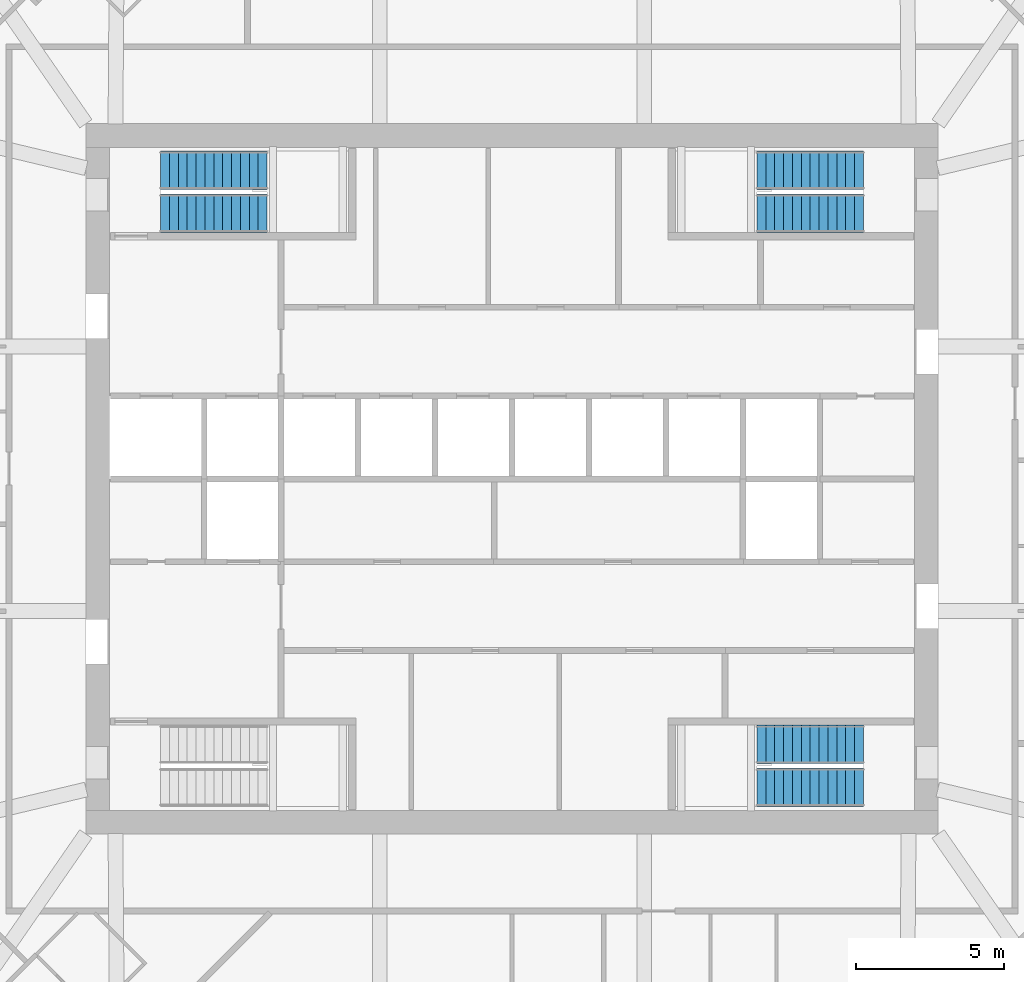
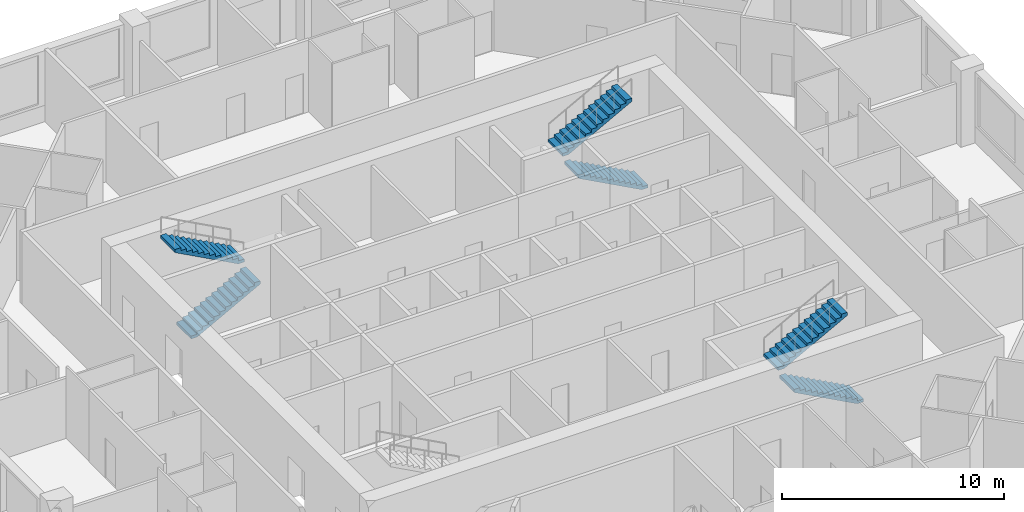
# One storey, part 11 of 12: 6 stair flights, 3 elements without a shape of their own.
"""IFC4 building model written with IfcOpenShell, lengths in metres."""

from ifc_helpers import new_model, si_unit, direction, frame, origin, place, context, subcontext, project, spatial, polyline, outline, extrude, material, type_object, element, aggregate, save


model = new_model("IFC4")

# Units and contexts
model_context = context("Model", 3, precision=1e-05, world=origin(), true_north=direction((0.0, 1.0)))
body_context = subcontext(model_context, "Body", "Model", "MODEL_VIEW")
ifc_project = project(units=[si_unit("LENGTHUNIT", "METRE"), si_unit("AREAUNIT", "SQUARE_METRE"), si_unit("VOLUMEUNIT", "CUBIC_METRE"), si_unit("PLANEANGLEUNIT", "RADIAN"), si_unit("MASSUNIT", "GRAM", prefix="KILO")], contexts=[model_context])

# Site, building, storey
site_placement = place(None, origin())
site = spatial("IfcSite", under=ifc_project, at=site_placement, CompositionType="ELEMENT")
building_placement = place(site_placement, origin())
building = spatial("IfcBuilding", under=site, at=building_placement, Name="Msitu Wima Residences", CompositionType="ELEMENT")
storey_placement = place(building_placement, frame((0.0, 0.0, 119.10009765625)))
storey = spatial("IfcBuildingStorey", under=building, at=storey_placement, Name="L27", CompositionType="ELEMENT", Elevation=119.10009765625)

# Stair, stair flights
ifc_material = material(Name="Concrete C40/50", Category="concrete")
stair_type = type_object("IfcStairType", Name="Exit stair ES1615-130", PredefinedType="HALF_TURN_STAIR", material=ifc_material)
stair_1_placement = place(storey_placement, origin())
stair_1 = element("IfcStair", 1, at=stair_1_placement, inside=storey, type_object=stair_type, Name="Exit stair 1", PredefinedType="HALF_TURN_STAIR")
stair_flight_type = type_object("IfcStairFlightType", Name="Exit stair flight ES1615-130", PredefinedType="STRAIGHT", material=ifc_material)
stair_flight_1_placement = place(storey_placement, frame((-11.875, 8.97509765625, 0.0), z_axis=(0.0, 0.0, 1.0), x_axis=(1.0, 0.0, 0.0)))
stair_flight_1 = element("IfcStairFlight", 2, at=stair_flight_1_placement, type_object=stair_flight_type, Name="S1 flight 1", NumberOfRisers=13, NumberOfTreads=12, PredefinedType="STRAIGHT", RiserHeight=0.161538462, TreadLength=0.3, context=body_context, shape_type="SweptSolid", body=[
    extrude(outline(polyline([(0.0, 0.0), (0.0, 0.16162109375), (0.300048828125, 0.16162109375), (0.300048828125, 0.322998046875), (0.60009765625, 0.322998046875), (0.60009765625, 0.484619140625), (0.89990234375, 0.484619140625), (0.89990234375, 0.646240234375), (1.199951171875, 0.646240234375), (1.199951171875, 0.8076171875), (1.5, 0.8076171875), (1.5, 0.96923828125), (1.800048828125, 0.96923828125), (1.800048828125, 1.130859375), (2.10009765625, 1.130859375), (2.10009765625, 1.292236328125), (2.39990234375, 1.292236328125), (2.39990234375, 1.453857421875), (2.699951171875, 1.453857421875), (2.699951171875, 1.615478515625), (3.0, 1.615478515625), (3.0, 1.77685546875), (3.300048828125, 1.77685546875), (3.300048828125, 1.9384765625), (3.60009765625, 1.9384765625), (3.60009765625, 2.10009765625), (3.60009765625, 1.768310546875), (0.316162109375, 0.0), (0.0, 0.0)])), frame((0.0, 0.64990234375, 0.0), z_axis=(0.0, -1.0, 0.0), x_axis=(1.0, 0.0, 0.0)), (0.0, 0.0, 1.0), 1.300048828125),
])
stair_flight_2_placement = place(storey_placement, frame((-8.27490234375, 10.425048828125, 2.099853515625), z_axis=(0.0, 0.0, 1.0), x_axis=(-1.0, 0.0, 0.0)))
stair_flight_2 = element("IfcStairFlight", 3, at=stair_flight_2_placement, type_object=stair_flight_type, Name="S1 flight 2", NumberOfRisers=13, NumberOfTreads=12, PredefinedType="STRAIGHT", RiserHeight=0.161538462, TreadLength=0.3, context=body_context, shape_type="SweptSolid", body=[
    extrude(outline(polyline([(0.0, 0.0), (0.0, 0.16162109375), (0.300048828125, 0.16162109375), (0.300048828125, 0.322998046875), (0.60009765625, 0.322998046875), (0.60009765625, 0.484619140625), (0.89990234375, 0.484619140625), (0.89990234375, 0.646240234375), (1.199951171875, 0.646240234375), (1.199951171875, 0.8076171875), (1.5, 0.8076171875), (1.5, 0.96923828125), (1.800048828125, 0.96923828125), (1.800048828125, 1.130859375), (2.10009765625, 1.130859375), (2.10009765625, 1.292236328125), (2.39990234375, 1.292236328125), (2.39990234375, 1.453857421875), (2.699951171875, 1.453857421875), (2.699951171875, 1.615478515625), (3.0, 1.615478515625), (3.0, 1.77685546875), (3.300048828125, 1.77685546875), (3.300048828125, 1.9384765625), (3.60009765625, 1.9384765625), (3.60009765625, 2.10009765625), (3.60009765625, 1.768310546875), (0.316162109375, 0.0), (0.0, 0.0)])), frame((0.0, 0.64990234375, 0.0), z_axis=(0.0, -1.0, 0.0), x_axis=(1.0, 0.0, 0.0)), (0.0, 0.0, 1.0), 1.300048828125),
])
aggregate(stair_1, [stair_flight_1, stair_flight_2])

stair_2_placement = place(storey_placement, origin())
stair_2 = element("IfcStair", 4, at=stair_2_placement, inside=storey, type_object=stair_type, Name="Exit stair 3", PredefinedType="HALF_TURN_STAIR")
stair_flight_3_placement = place(storey_placement, frame((11.875, 8.97509765625, 0.0), z_axis=(0.0, 0.0, 1.0), x_axis=(-1.0, 0.0, 0.0)))
stair_flight_3 = element("IfcStairFlight", 5, at=stair_flight_3_placement, type_object=stair_flight_type, Name="S3 flight 1", NumberOfRisers=13, NumberOfTreads=12, PredefinedType="STRAIGHT", RiserHeight=0.161538462, TreadLength=0.3, context=body_context, shape_type="SweptSolid", body=[
    extrude(outline(polyline([(0.0, 0.0), (0.0, 0.16162109375), (0.300048828125, 0.16162109375), (0.300048828125, 0.322998046875), (0.60009765625, 0.322998046875), (0.60009765625, 0.484619140625), (0.89990234375, 0.484619140625), (0.89990234375, 0.646240234375), (1.199951171875, 0.646240234375), (1.199951171875, 0.8076171875), (1.5, 0.8076171875), (1.5, 0.96923828125), (1.800048828125, 0.96923828125), (1.800048828125, 1.130859375), (2.10009765625, 1.130859375), (2.10009765625, 1.292236328125), (2.39990234375, 1.292236328125), (2.39990234375, 1.453857421875), (2.699951171875, 1.453857421875), (2.699951171875, 1.615478515625), (3.0, 1.615478515625), (3.0, 1.77685546875), (3.300048828125, 1.77685546875), (3.300048828125, 1.9384765625), (3.60009765625, 1.9384765625), (3.60009765625, 2.10009765625), (3.60009765625, 1.768310546875), (0.316162109375, 0.0), (0.0, 0.0)])), frame((0.0, 0.64990234375, 0.0), z_axis=(0.0, -1.0, 0.0), x_axis=(1.0, 0.0, 0.0)), (0.0, 0.0, 1.0), 1.300048828125),
])
stair_flight_4_placement = place(storey_placement, frame((8.27490234375, 10.425048828125, 2.099853515625), z_axis=(0.0, 0.0, 1.0), x_axis=(1.0, 0.0, 0.0)))
stair_flight_4 = element("IfcStairFlight", 6, at=stair_flight_4_placement, type_object=stair_flight_type, Name="S3 flight 2", NumberOfRisers=13, NumberOfTreads=12, PredefinedType="STRAIGHT", RiserHeight=0.161538462, TreadLength=0.3, context=body_context, shape_type="SweptSolid", body=[
    extrude(outline(polyline([(0.0, 0.0), (0.0, 0.16162109375), (0.300048828125, 0.16162109375), (0.300048828125, 0.322998046875), (0.60009765625, 0.322998046875), (0.60009765625, 0.484619140625), (0.89990234375, 0.484619140625), (0.89990234375, 0.646240234375), (1.199951171875, 0.646240234375), (1.199951171875, 0.8076171875), (1.5, 0.8076171875), (1.5, 0.96923828125), (1.800048828125, 0.96923828125), (1.800048828125, 1.130859375), (2.10009765625, 1.130859375), (2.10009765625, 1.292236328125), (2.39990234375, 1.292236328125), (2.39990234375, 1.453857421875), (2.699951171875, 1.453857421875), (2.699951171875, 1.615478515625), (3.0, 1.615478515625), (3.0, 1.77685546875), (3.300048828125, 1.77685546875), (3.300048828125, 1.9384765625), (3.60009765625, 1.9384765625), (3.60009765625, 2.10009765625), (3.60009765625, 1.768310546875), (0.316162109375, 0.0), (0.0, 0.0)])), frame((0.0, 0.64990234375, 0.0), z_axis=(0.0, -1.0, 0.0), x_axis=(1.0, 0.0, 0.0)), (0.0, 0.0, 1.0), 1.300048828125),
])
aggregate(stair_2, [stair_flight_3, stair_flight_4])

stair_3_placement = place(storey_placement, origin())
stair_3 = element("IfcStair", 7, at=stair_3_placement, inside=storey, type_object=stair_type, Name="Exit stair 4", PredefinedType="HALF_TURN_STAIR")
stair_flight_5_placement = place(storey_placement, frame((11.875, -10.425048828125, 0.0), z_axis=(0.0, 0.0, 1.0), x_axis=(-1.0, 0.0, 0.0)))
stair_flight_5 = element("IfcStairFlight", 8, at=stair_flight_5_placement, type_object=stair_flight_type, Name="S4 flight 1", NumberOfRisers=13, NumberOfTreads=12, PredefinedType="STRAIGHT", RiserHeight=0.161538462, TreadLength=0.3, context=body_context, shape_type="SweptSolid", body=[
    extrude(outline(polyline([(0.0, 0.0), (0.0, 0.16162109375), (0.300048828125, 0.16162109375), (0.300048828125, 0.322998046875), (0.60009765625, 0.322998046875), (0.60009765625, 0.484619140625), (0.89990234375, 0.484619140625), (0.89990234375, 0.646240234375), (1.199951171875, 0.646240234375), (1.199951171875, 0.8076171875), (1.5, 0.8076171875), (1.5, 0.96923828125), (1.800048828125, 0.96923828125), (1.800048828125, 1.130859375), (2.10009765625, 1.130859375), (2.10009765625, 1.292236328125), (2.39990234375, 1.292236328125), (2.39990234375, 1.453857421875), (2.699951171875, 1.453857421875), (2.699951171875, 1.615478515625), (3.0, 1.615478515625), (3.0, 1.77685546875), (3.300048828125, 1.77685546875), (3.300048828125, 1.9384765625), (3.60009765625, 1.9384765625), (3.60009765625, 2.10009765625), (3.60009765625, 1.768310546875), (0.316162109375, 0.0), (0.0, 0.0)])), frame((0.0, 0.64990234375, 0.0), z_axis=(0.0, -1.0, 0.0), x_axis=(1.0, 0.0, 0.0)), (0.0, 0.0, 1.0), 1.300048828125),
])
stair_flight_6_placement = place(storey_placement, frame((8.27490234375, -8.97509765625, 2.099853515625), z_axis=(0.0, 0.0, 1.0), x_axis=(1.0, 0.0, 0.0)))
stair_flight_6 = element("IfcStairFlight", 9, at=stair_flight_6_placement, type_object=stair_flight_type, Name="S4 flight 2", NumberOfRisers=13, NumberOfTreads=12, PredefinedType="STRAIGHT", RiserHeight=0.161538462, TreadLength=0.3, context=body_context, shape_type="SweptSolid", body=[
    extrude(outline(polyline([(0.0, 0.0), (0.0, 0.16162109375), (0.300048828125, 0.16162109375), (0.300048828125, 0.322998046875), (0.60009765625, 0.322998046875), (0.60009765625, 0.484619140625), (0.89990234375, 0.484619140625), (0.89990234375, 0.646240234375), (1.199951171875, 0.646240234375), (1.199951171875, 0.8076171875), (1.5, 0.8076171875), (1.5, 0.96923828125), (1.800048828125, 0.96923828125), (1.800048828125, 1.130859375), (2.10009765625, 1.130859375), (2.10009765625, 1.292236328125), (2.39990234375, 1.292236328125), (2.39990234375, 1.453857421875), (2.699951171875, 1.453857421875), (2.699951171875, 1.615478515625), (3.0, 1.615478515625), (3.0, 1.77685546875), (3.300048828125, 1.77685546875), (3.300048828125, 1.9384765625), (3.60009765625, 1.9384765625), (3.60009765625, 2.10009765625), (3.60009765625, 1.768310546875), (0.316162109375, 0.0), (0.0, 0.0)])), frame((0.0, 0.64990234375, 0.0), z_axis=(0.0, -1.0, 0.0), x_axis=(1.0, 0.0, 0.0)), (0.0, 0.0, 1.0), 1.300048828125),
])
aggregate(stair_3, [stair_flight_5, stair_flight_6])

save(model, "model.ifc")
